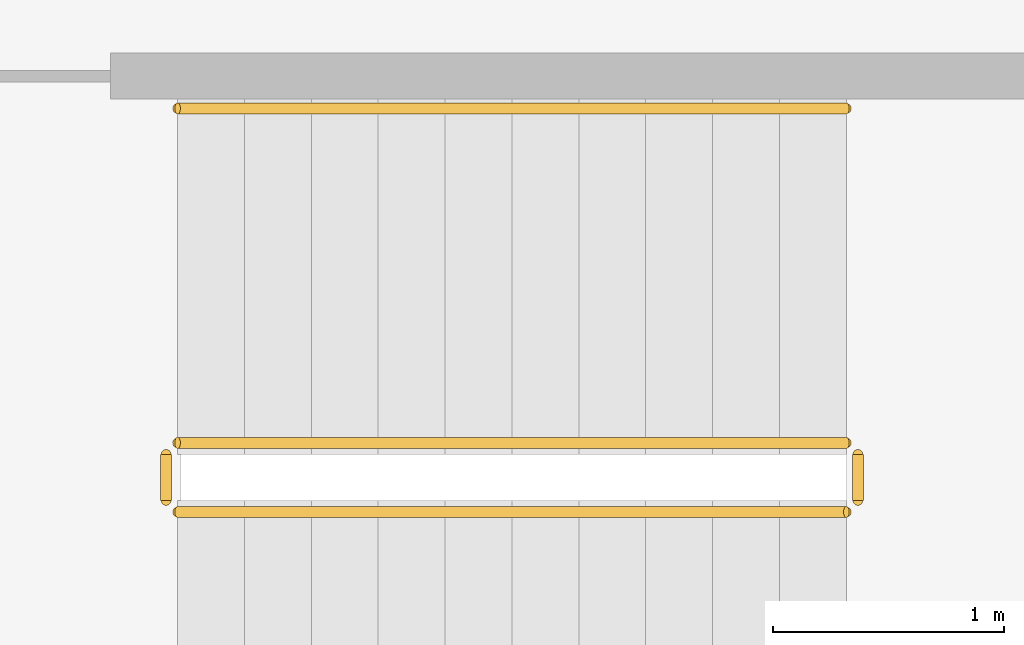
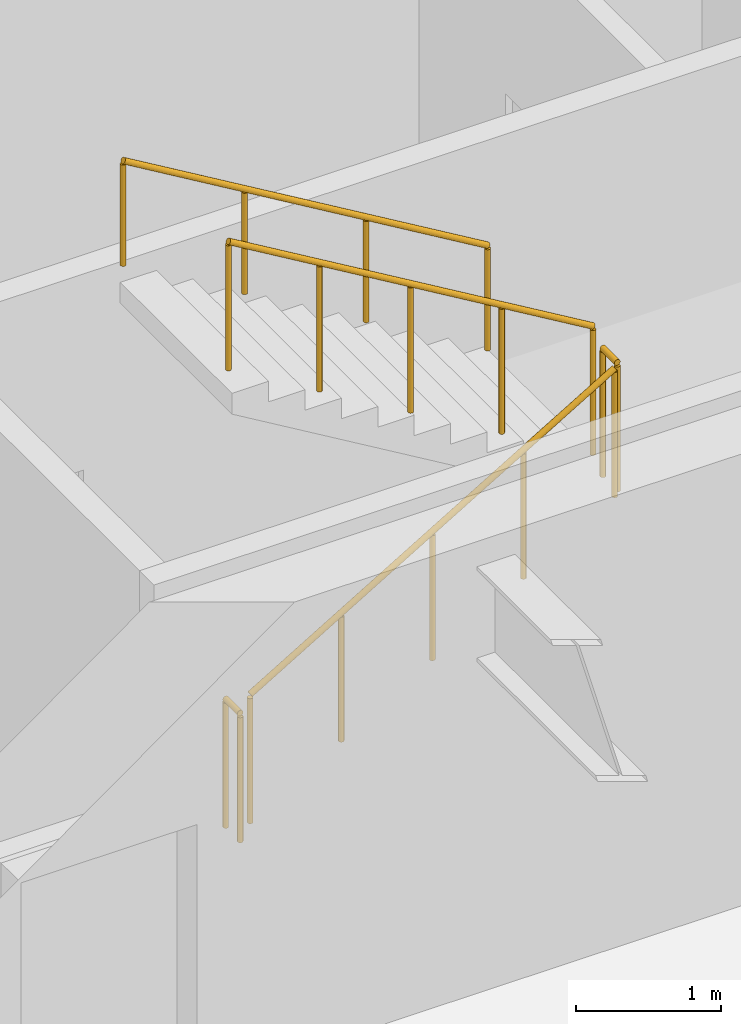
# One storey, part 18 of 19: 5 railings.
"""IFC4 building model written with IfcOpenShell, lengths in metres."""

from ifc_helpers import new_model, si_unit, direction, frame, origin, origin_2d, place, context, subcontext, project, spatial, circle, extrude, material, type_object, element, save


model = new_model("IFC4")

# Units and contexts
model_context = context("Model", 3, precision=1e-05, world=origin(), true_north=direction((0.0, 1.0)))
body_context = subcontext(model_context, "Body", "Model", "MODEL_VIEW")
ifc_project = project(units=[si_unit("LENGTHUNIT", "METRE"), si_unit("AREAUNIT", "SQUARE_METRE"), si_unit("VOLUMEUNIT", "CUBIC_METRE"), si_unit("PLANEANGLEUNIT", "RADIAN"), si_unit("MASSUNIT", "GRAM", prefix="KILO")], contexts=[model_context])

# Site, building, storey
site_placement = place(None, origin())
site = spatial("IfcSite", under=ifc_project, at=site_placement, CompositionType="ELEMENT")
building_placement = place(site_placement, origin())
building = spatial("IfcBuilding", under=site, at=building_placement, Name="Putna Gate Headquarters", CompositionType="ELEMENT")
storey_placement = place(building_placement, frame((0.0, 0.0, 267.0)))
storey = spatial("IfcBuildingStorey", under=building, at=storey_placement, Name="L67", CompositionType="ELEMENT", Elevation=267.0)

# Railings
ifc_material_1 = material(Name="Powder-coated steel stair guardrail", Category="steel")
railing_type_1 = type_object("IfcRailingType", Name="RAIL-STAIR-GUARD-1100", PredefinedType="GUARDRAIL", material=ifc_material_1)
railing_1_placement = place(storey_placement, frame((57.89990234375, 21.10009765625, 0.172607421875)))
element("IfcRailing", 1, at=railing_1_placement, inside=storey, type_object=railing_type_1, Name="L67 ST2 stair guard 1", PredefinedType="GUARDRAIL", context=body_context, shape_type="SweptSolid", body=[
    extrude(circle(Radius=0.02392578125, at=origin_2d()), frame((0.0, 0.0, 1.076171875), z_axis=(0.859160404282, 0.0, 0.51170636083), x_axis=(0.0, 1.0, 0.0)), (0.0, 0.0, 1.0), 3.37548828125),
    extrude(circle(Radius=0.02099609375, at=origin_2d()), origin(), (0.0, 0.0, 1.0), 1.052001953125),
    extrude(circle(Radius=0.02099609375, at=origin_2d()), frame((0.72509765625, 0.0, 0.431884765625)), (0.0, 0.0, 1.0), 1.052001953125),
    extrude(circle(Radius=0.02099609375, at=origin_2d()), frame((1.4501953125, 0.0, 0.86376953125)), (0.0, 0.0, 1.0), 1.052001953125),
    extrude(circle(Radius=0.02099609375, at=origin_2d()), frame((2.175048828125, 0.0, 1.29541015625)), (0.0, 0.0, 1.0), 1.052001953125),
    extrude(circle(Radius=0.02099609375, at=origin_2d()), frame((2.900146484375, 0.0, 1.727294921875)), (0.0, 0.0, 1.0), 1.052001953125),
])
railing_2_placement = place(storey_placement, frame((60.85009765625, 21.14990234375, 1.89990234375)))
element("IfcRailing", 2, at=railing_2_placement, inside=storey, type_object=railing_type_1, Name="L67 ST2 stair guard 2", PredefinedType="GUARDRAIL", context=body_context, shape_type="SweptSolid", body=[
    extrude(circle(Radius=0.02392578125, at=origin_2d()), frame((0.0, 0.0, 1.076171875), z_axis=(0.0, 1.0, 0.0), x_axis=(-1.0, 0.0, 0.0)), (0.0, 0.0, 1.0), 0.2001953125),
    extrude(circle(Radius=0.02099609375, at=origin_2d()), origin(), (0.0, 0.0, 1.0), 1.052001953125),
    extrude(circle(Radius=0.02099609375, at=origin_2d()), frame((0.0, 0.2001953125, 0.0)), (0.0, 0.0, 1.0), 1.052001953125),
])
railing_3_placement = place(storey_placement, frame((60.800048828125, 21.39990234375, 2.07275390625)))
element("IfcRailing", 3, at=railing_3_placement, inside=storey, type_object=railing_type_1, Name="L67 ST2 stair guard 3", PredefinedType="GUARDRAIL", context=body_context, shape_type="SweptSolid", body=[
    extrude(circle(Radius=0.02392578125, at=origin_2d()), frame((0.0, 0.0, 1.076171875), z_axis=(-0.859160404282, 0.0, 0.51170636083), x_axis=(0.0, -1.0, 0.0)), (0.0, 0.0, 1.0), 3.37548828125),
    extrude(circle(Radius=0.02099609375, at=origin_2d()), origin(), (0.0, 0.0, 1.0), 1.052001953125),
    extrude(circle(Radius=0.02099609375, at=origin_2d()), frame((-0.72509765625, 0.0, 0.431884765625)), (0.0, 0.0, 1.0), 1.052001953125),
    extrude(circle(Radius=0.02099609375, at=origin_2d()), frame((-1.4501953125, 0.0, 0.86376953125)), (0.0, 0.0, 1.0), 1.052001953125),
    extrude(circle(Radius=0.02099609375, at=origin_2d()), frame((-2.175048828125, 0.0, 1.29541015625)), (0.0, 0.0, 1.0), 1.052001953125),
    extrude(circle(Radius=0.02099609375, at=origin_2d()), frame((-2.900146484375, 0.0, 1.727294921875)), (0.0, 0.0, 1.0), 1.052001953125),
])
railing_4_placement = place(storey_placement, frame((57.85009765625, 21.14990234375, 0.0)))
element("IfcRailing", 4, at=railing_4_placement, inside=storey, type_object=railing_type_1, Name="L67 ST2 stair guard 4", PredefinedType="GUARDRAIL", context=body_context, shape_type="SweptSolid", body=[
    extrude(circle(Radius=0.02392578125, at=origin_2d()), frame((0.0, 0.0, 1.076171875), z_axis=(0.0, 1.0, 0.0), x_axis=(-1.0, 0.0, 0.0)), (0.0, 0.0, 1.0), 0.2001953125),
    extrude(circle(Radius=0.02099609375, at=origin_2d()), origin(), (0.0, 0.0, 1.0), 1.052001953125),
    extrude(circle(Radius=0.02099609375, at=origin_2d()), frame((0.0, 0.2001953125, 0.0)), (0.0, 0.0, 1.0), 1.052001953125),
])
ifc_material_2 = material(Name="Brushed stainless steel handrail", Category="steel")
railing_type_2 = type_object("IfcRailingType", Name="RAIL-STAIR-HAND-900", PredefinedType="HANDRAIL", material=ifc_material_2)
railing_5_placement = place(storey_placement, frame((60.800048828125, 22.85009765625, 2.07275390625)))
element("IfcRailing", 5, at=railing_5_placement, inside=storey, type_object=railing_type_2, Name="L67 ST2 stair handrail 2", PredefinedType="HANDRAIL", context=body_context, shape_type="SweptSolid", body=[
    extrude(circle(Radius=0.02392578125, at=origin_2d()), frame((0.0, 0.0, 0.8759765625), z_axis=(-0.859160404282, 0.0, 0.51170636083), x_axis=(0.0, -1.0, 0.0)), (0.0, 0.0, 1.0), 3.37548828125),
    extrude(circle(Radius=0.02099609375, at=origin_2d()), origin(), (0.0, 0.0, 1.0), 0.851806640625),
    extrude(circle(Radius=0.02099609375, at=origin_2d()), frame((-0.966796875, 0.0, 0.57568359375)), (0.0, 0.0, 1.0), 0.851806640625),
    extrude(circle(Radius=0.02099609375, at=origin_2d()), frame((-1.933349609375, 0.0, 1.151611328125)), (0.0, 0.0, 1.0), 0.851806640625),
    extrude(circle(Radius=0.02099609375, at=origin_2d()), frame((-2.900146484375, 0.0, 1.727294921875)), (0.0, 0.0, 1.0), 0.851806640625),
])

save(model, "model.ifc")
